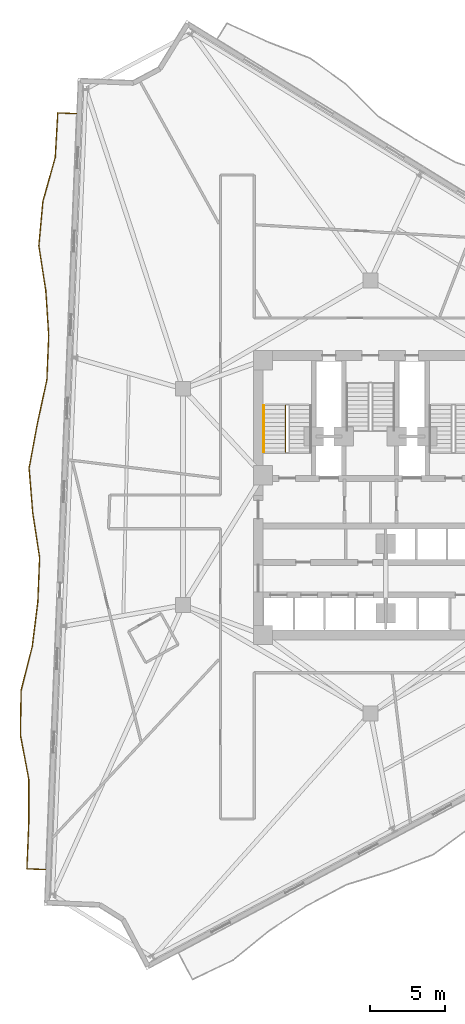
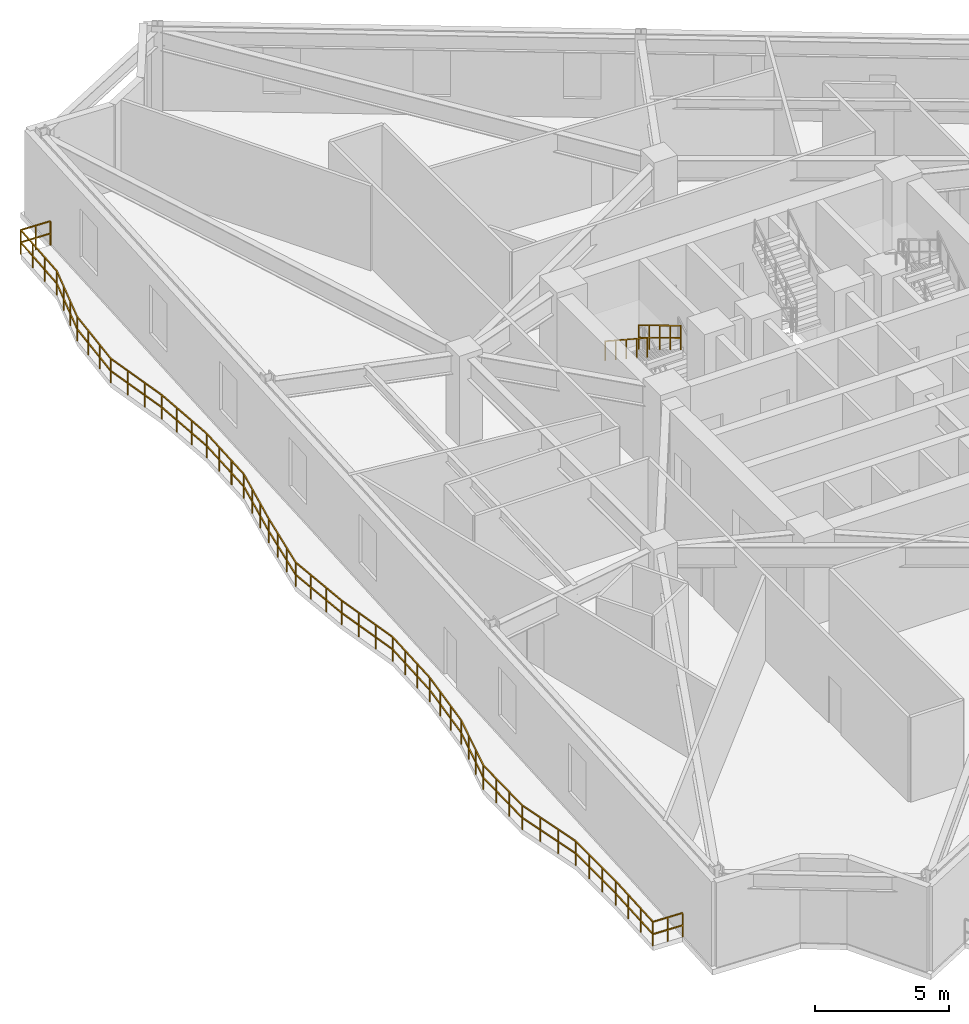
# One storey, part 10 of 12: 3 railings.
"""IFC4 building model written with IfcOpenShell, lengths in metres."""

from ifc_helpers import new_model, si_unit, direction, frame, origin, origin_2d, place, context, subcontext, project, spatial, rectangle, extrude, material, type_object, element, save


model = new_model("IFC4")

# Units and contexts
model_context = context("Model", 3, precision=1e-05, world=origin(), true_north=direction((0.0, 1.0)))
body_context = subcontext(model_context, "Body", "Model", "MODEL_VIEW")
ifc_project = project(units=[si_unit("LENGTHUNIT", "METRE"), si_unit("AREAUNIT", "SQUARE_METRE"), si_unit("VOLUMEUNIT", "CUBIC_METRE"), si_unit("PLANEANGLEUNIT", "RADIAN"), si_unit("MASSUNIT", "GRAM", prefix="KILO")], contexts=[model_context])

# Site, building, storey
site_placement = place(None, origin())
site = spatial("IfcSite", under=ifc_project, at=site_placement, CompositionType="ELEMENT")
building_placement = place(site_placement, origin())
building = spatial("IfcBuilding", under=site, at=building_placement, Name="Apsidion Concourse Tower", CompositionType="ELEMENT")
storey_placement = place(building_placement, frame((0.0, 0.0, 165.5)))
storey = spatial("IfcBuildingStorey", under=building, at=storey_placement, Name="L38", CompositionType="ELEMENT", Elevation=165.5)

# Railings
ifc_material = material(Name="Brushed stainless steel 316", Category="steel")
railing_type_1 = type_object("IfcRailingType", Name="RL-BAL-1120", PredefinedType="BALUSTRADE", material=ifc_material)
railing_1_placement = place(storey_placement, frame((-21.777587890625, -24.97802734375, 0.0)))
element("IfcRailing", 1, at=railing_1_placement, inside=storey, type_object=railing_type_1, Name="L38 Face 1 Rippling Balcony Balustrade", PredefinedType="BALUSTRADE", context=body_context, shape_type="SweptSolid", body=[
    extrude(rectangle(XDim=0.048095703125, YDim=0.048095703125, at=origin_2d()), frame((0.0, 0.0, 1.09619140625), z_axis=(-0.999166265244, 0.040826148472, 0.0), x_axis=(-0.040826148472, -0.999166265244, 0.0)), (0.0, 0.0, 1.0), 1.249755859375),
    extrude(rectangle(XDim=0.048095703125, YDim=0.048095703125, at=origin_2d()), frame((0.0, 0.0, 0.5361328125), z_axis=(-0.999166265244, 0.040826148472, 0.0), x_axis=(-0.040826148472, -0.999166265244, 0.0)), (0.0, 0.0, 1.0), 1.249755859375),
    extrude(rectangle(XDim=0.048095703125, YDim=0.048095703125, at=origin_2d()), frame((-1.248779296875, 0.051025390625, 1.09619140625), z_axis=(0.040759023988, 0.999169005706, 0.0), x_axis=(-0.999169005706, 0.040759023988, 0.0)), (0.0, 0.0, 1.0), 2.98291015625),
    extrude(rectangle(XDim=0.048095703125, YDim=0.048095703125, at=origin_2d()), frame((-1.248779296875, 0.051025390625, 0.5361328125), z_axis=(0.040759023988, 0.999169005706, 0.0), x_axis=(-0.999169005706, 0.040759023988, 0.0)), (0.0, 0.0, 1.0), 2.98291015625),
    extrude(rectangle(XDim=0.048095703125, YDim=0.048095703125, at=origin_2d()), frame((-1.127197265625, 3.031494140625, 1.09619140625), z_axis=(0.003107861003, 0.999995170588, 0.0), x_axis=(-0.999995170588, 0.003107861003, 0.0)), (0.0, 0.0, 1.0), 2.985107421875),
    extrude(rectangle(XDim=0.048095703125, YDim=0.048095703125, at=origin_2d()), frame((-1.127197265625, 3.031494140625, 0.5361328125), z_axis=(0.003107861003, 0.999995170588, 0.0), x_axis=(-0.999995170588, 0.003107861003, 0.0)), (0.0, 0.0, 1.0), 2.985107421875),
    extrude(rectangle(XDim=0.048095703125, YDim=0.048095703125, at=origin_2d()), frame((-1.117919921875, 6.0166015625, 1.09619140625), z_axis=(-0.184784476306, 0.982779068416, 0.0), x_axis=(-0.982779068416, -0.184784476306, 0.0)), (0.0, 0.0, 1.0), 3.061279296875),
    extrude(rectangle(XDim=0.048095703125, YDim=0.048095703125, at=origin_2d()), frame((-1.117919921875, 6.0166015625, 0.5361328125), z_axis=(-0.184784476306, 0.982779068416, 0.0), x_axis=(-0.982779068416, -0.184784476306, 0.0)), (0.0, 0.0, 1.0), 3.061279296875),
    extrude(rectangle(XDim=0.048095703125, YDim=0.048095703125, at=origin_2d()), frame((-1.68359375, 9.025146484375, 1.09619140625), z_axis=(0.015382795043, 0.999881677808, 0.0), x_axis=(-0.999881677808, 0.015382795043, 0.0)), (0.0, 0.0, 1.0), 2.983642578125),
    extrude(rectangle(XDim=0.048095703125, YDim=0.048095703125, at=origin_2d()), frame((-1.68359375, 9.025146484375, 0.5361328125), z_axis=(0.015382795043, 0.999881677808, 0.0), x_axis=(-0.999881677808, 0.015382795043, 0.0)), (0.0, 0.0, 1.0), 2.983642578125),
    extrude(rectangle(XDim=0.048095703125, YDim=0.048095703125, at=origin_2d()), frame((-1.6376953125, 12.008544921875, 1.09619140625), z_axis=(0.246001002234, 0.969269573906, 0.0), x_axis=(-0.969269573906, 0.246001002234, 0.0)), (0.0, 0.0, 1.0), 3.048828125),
    extrude(rectangle(XDim=0.048095703125, YDim=0.048095703125, at=origin_2d()), frame((-1.6376953125, 12.008544921875, 0.5361328125), z_axis=(0.246001002234, 0.969269573906, 0.0), x_axis=(-0.969269573906, 0.246001002234, 0.0)), (0.0, 0.0, 1.0), 3.048828125),
    extrude(rectangle(XDim=0.048095703125, YDim=0.048095703125, at=origin_2d()), frame((-0.8876953125, 14.963623046875, 1.09619140625), z_axis=(0.123412284107, 0.992355484759, 0.0), x_axis=(-0.992355484759, 0.123412284107, 0.0)), (0.0, 0.0, 1.0), 2.9931640625),
    extrude(rectangle(XDim=0.048095703125, YDim=0.048095703125, at=origin_2d()), frame((-0.8876953125, 14.963623046875, 0.5361328125), z_axis=(0.123412284107, 0.992355484759, 0.0), x_axis=(-0.992355484759, 0.123412284107, 0.0)), (0.0, 0.0, 1.0), 2.9931640625),
    extrude(rectangle(XDim=0.048095703125, YDim=0.048095703125, at=origin_2d()), frame((-0.518310546875, 17.933837890625, 1.09619140625), z_axis=(0.040759023988, 0.999169005706, 0.0), x_axis=(-0.999169005706, 0.040759023988, 0.0)), (0.0, 0.0, 1.0), 2.98291015625),
    extrude(rectangle(XDim=0.048095703125, YDim=0.048095703125, at=origin_2d()), frame((-0.518310546875, 17.933837890625, 0.5361328125), z_axis=(0.040759023988, 0.999169005706, 0.0), x_axis=(-0.999169005706, 0.040759023988, 0.0)), (0.0, 0.0, 1.0), 2.98291015625),
    extrude(rectangle(XDim=0.048095703125, YDim=0.048095703125, at=origin_2d()), frame((-0.396728515625, 20.914306640625, 1.09619140625), z_axis=(-0.152039078203, 0.988374483027, 0.0), x_axis=(-0.988374483027, -0.152039078203, 0.0)), (0.0, 0.0, 1.0), 3.039794921875),
    extrude(rectangle(XDim=0.048095703125, YDim=0.048095703125, at=origin_2d()), frame((-0.396728515625, 20.914306640625, 0.5361328125), z_axis=(-0.152039078203, 0.988374483027, 0.0), x_axis=(-0.988374483027, -0.152039078203, 0.0)), (0.0, 0.0, 1.0), 3.039794921875),
    extrude(rectangle(XDim=0.048095703125, YDim=0.048095703125, at=origin_2d()), frame((-0.85888671875, 23.918701171875, 1.09619140625), z_axis=(-0.080752609841, 0.996734175196, 0.0), x_axis=(-0.996734175196, -0.080752609841, 0.0)), (0.0, 0.0, 1.0), 3.005126953125),
    extrude(rectangle(XDim=0.048095703125, YDim=0.048095703125, at=origin_2d()), frame((-0.85888671875, 23.918701171875, 0.5361328125), z_axis=(-0.080752609841, 0.996734175196, 0.0), x_axis=(-0.996734175196, -0.080752609841, 0.0)), (0.0, 0.0, 1.0), 3.005126953125),
    extrude(rectangle(XDim=0.048095703125, YDim=0.048095703125, at=origin_2d()), frame((-1.1015625, 26.9140625, 1.09619140625), z_axis=(0.182527304548, 0.98320078473, 0.0), x_axis=(-0.98320078473, 0.182527304548, 0.0)), (0.0, 0.0, 1.0), 3.013427734375),
    extrude(rectangle(XDim=0.048095703125, YDim=0.048095703125, at=origin_2d()), frame((-1.1015625, 26.9140625, 0.5361328125), z_axis=(0.182527304548, 0.98320078473, 0.0), x_axis=(-0.98320078473, 0.182527304548, 0.0)), (0.0, 0.0, 1.0), 3.013427734375),
    extrude(rectangle(XDim=0.048095703125, YDim=0.048095703125, at=origin_2d()), frame((-0.551513671875, 29.876953125, 1.09619140625), z_axis=(0.21195098989, 0.977280296478, 0.0), x_axis=(-0.977280296478, 0.21195098989, 0.0)), (0.0, 0.0, 1.0), 3.0283203125),
    extrude(rectangle(XDim=0.048095703125, YDim=0.048095703125, at=origin_2d()), frame((-0.551513671875, 29.876953125, 0.5361328125), z_axis=(0.21195098989, 0.977280296478, 0.0), x_axis=(-0.977280296478, 0.21195098989, 0.0)), (0.0, 0.0, 1.0), 3.0283203125),
    extrude(rectangle(XDim=0.048095703125, YDim=0.048095703125, at=origin_2d()), frame((0.09033203125, 32.83642578125, 1.09619140625), z_axis=(0.040759023988, 0.999169005706, 0.0), x_axis=(-0.999169005706, 0.040759023988, 0.0)), (0.0, 0.0, 1.0), 2.98291015625),
    extrude(rectangle(XDim=0.048095703125, YDim=0.048095703125, at=origin_2d()), frame((0.09033203125, 32.83642578125, 0.5361328125), z_axis=(0.040759023988, 0.999169005706, 0.0), x_axis=(-0.999169005706, 0.040759023988, 0.0)), (0.0, 0.0, 1.0), 2.98291015625),
    extrude(rectangle(XDim=0.048095703125, YDim=0.048095703125, at=origin_2d()), frame((0.2119140625, 35.81689453125, 1.09619140625), z_axis=(-0.065109087497, 0.997878152244, 0.0), x_axis=(-0.997878152244, -0.065109087497, 0.0)), (0.0, 0.0, 1.0), 2.999755859375),
    extrude(rectangle(XDim=0.048095703125, YDim=0.048095703125, at=origin_2d()), frame((0.2119140625, 35.81689453125, 0.5361328125), z_axis=(-0.065109087497, 0.997878152244, 0.0), x_axis=(-0.997878152244, -0.065109087497, 0.0)), (0.0, 0.0, 1.0), 2.999755859375),
    extrude(rectangle(XDim=0.048095703125, YDim=0.048095703125, at=origin_2d()), frame((0.0166015625, 38.810302734375, 1.09619140625), z_axis=(-0.153215652356, 0.988192776675, 0.0), x_axis=(-0.988192776675, -0.153215652356, 0.0)), (0.0, 0.0, 1.0), 3.040283203125),
    extrude(rectangle(XDim=0.048095703125, YDim=0.048095703125, at=origin_2d()), frame((0.0166015625, 38.810302734375, 0.5361328125), z_axis=(-0.153215652356, 0.988192776675, 0.0), x_axis=(-0.988192776675, -0.153215652356, 0.0)), (0.0, 0.0, 1.0), 3.040283203125),
    extrude(rectangle(XDim=0.048095703125, YDim=0.048095703125, at=origin_2d()), frame((-0.44921875, 41.814697265625, 1.09619140625), z_axis=(0.091626402492, 0.995793453667, 0.0), x_axis=(-0.995793453667, 0.091626402492, 0.0)), (0.0, 0.0, 1.0), 2.98681640625),
    extrude(rectangle(XDim=0.048095703125, YDim=0.048095703125, at=origin_2d()), frame((-0.44921875, 41.814697265625, 0.5361328125), z_axis=(0.091626402492, 0.995793453667, 0.0), x_axis=(-0.995793453667, 0.091626402492, 0.0)), (0.0, 0.0, 1.0), 2.98681640625),
    extrude(rectangle(XDim=0.048095703125, YDim=0.048095703125, at=origin_2d()), frame((-0.175537109375, 44.7890625, 1.09619140625), z_axis=(0.26991055565, 0.962885399177, 0.0), x_axis=(-0.962885399177, 0.26991055565, 0.0)), (0.0, 0.0, 1.0), 3.0654296875),
    extrude(rectangle(XDim=0.048095703125, YDim=0.048095703125, at=origin_2d()), frame((-0.175537109375, 44.7890625, 0.5361328125), z_axis=(0.26991055565, 0.962885399177, 0.0), x_axis=(-0.962885399177, 0.26991055565, 0.0)), (0.0, 0.0, 1.0), 3.0654296875),
    extrude(rectangle(XDim=0.048095703125, YDim=0.048095703125, at=origin_2d()), frame((0.65185546875, 47.74072265625, 1.09619140625), z_axis=(0.056630286118, 0.998395217684, 0.0), x_axis=(-0.998395217684, 0.056630286118, 0.0)), (0.0, 0.0, 1.0), 2.9833984375),
    extrude(rectangle(XDim=0.048095703125, YDim=0.048095703125, at=origin_2d()), frame((0.65185546875, 47.74072265625, 0.5361328125), z_axis=(0.056630286118, 0.998395217684, 0.0), x_axis=(-0.998395217684, 0.056630286118, 0.0)), (0.0, 0.0, 1.0), 2.9833984375),
    extrude(rectangle(XDim=0.048095703125, YDim=0.048095703125, at=origin_2d()), frame((0.82080078125, 50.71923828125, 1.09619140625), z_axis=(0.999166265244, -0.040826148472, 0.0), x_axis=(0.040826148472, 0.999166265244, 0.0)), (0.0, 0.0, 1.0), 1.249755859375),
    extrude(rectangle(XDim=0.048095703125, YDim=0.048095703125, at=origin_2d()), frame((0.82080078125, 50.71923828125, 0.5361328125), z_axis=(0.999166265244, -0.040826148472, 0.0), x_axis=(0.040826148472, 0.999166265244, 0.0)), (0.0, 0.0, 1.0), 1.249755859375),
    extrude(rectangle(XDim=0.0419921875, YDim=0.0419921875, at=origin_2d()), origin(), (0.0, 0.0, 1.0), 1.072021484375),
    extrude(rectangle(XDim=0.0419921875, YDim=0.0419921875, at=origin_2d()), frame((-0.62451171875, 0.025390625, 0.0)), (0.0, 0.0, 1.0), 1.072021484375),
    extrude(rectangle(XDim=0.0419921875, YDim=0.0419921875, at=origin_2d()), frame((-1.248779296875, 0.051025390625, 0.0)), (0.0, 0.0, 1.0), 1.072021484375),
    extrude(rectangle(XDim=0.0419921875, YDim=0.0419921875, at=origin_2d()), frame((-1.208251953125, 1.04443359375, 0.0)), (0.0, 0.0, 1.0), 1.072021484375),
    extrude(rectangle(XDim=0.0419921875, YDim=0.0419921875, at=origin_2d()), frame((-1.167724609375, 2.0380859375, 0.0)), (0.0, 0.0, 1.0), 1.072021484375),
    extrude(rectangle(XDim=0.0419921875, YDim=0.0419921875, at=origin_2d()), frame((-1.127197265625, 3.031494140625, 0.0)), (0.0, 0.0, 1.0), 1.072021484375),
    extrude(rectangle(XDim=0.0419921875, YDim=0.0419921875, at=origin_2d()), frame((-1.1240234375, 4.026611328125, 0.0)), (0.0, 0.0, 1.0), 1.072021484375),
    extrude(rectangle(XDim=0.0419921875, YDim=0.0419921875, at=origin_2d()), frame((-1.12109375, 5.021484375, 0.0)), (0.0, 0.0, 1.0), 1.072021484375),
    extrude(rectangle(XDim=0.0419921875, YDim=0.0419921875, at=origin_2d()), frame((-1.117919921875, 6.0166015625, 0.0)), (0.0, 0.0, 1.0), 1.072021484375),
    extrude(rectangle(XDim=0.0419921875, YDim=0.0419921875, at=origin_2d()), frame((-1.306396484375, 7.01953125, 0.0)), (0.0, 0.0, 1.0), 1.072021484375),
    extrude(rectangle(XDim=0.0419921875, YDim=0.0419921875, at=origin_2d()), frame((-1.4951171875, 8.022216796875, 0.0)), (0.0, 0.0, 1.0), 1.072021484375),
    extrude(rectangle(XDim=0.0419921875, YDim=0.0419921875, at=origin_2d()), frame((-1.68359375, 9.025146484375, 0.0)), (0.0, 0.0, 1.0), 1.072021484375),
    extrude(rectangle(XDim=0.0419921875, YDim=0.0419921875, at=origin_2d()), frame((-1.668212890625, 10.01953125, 0.0)), (0.0, 0.0, 1.0), 1.072021484375),
    extrude(rectangle(XDim=0.0419921875, YDim=0.0419921875, at=origin_2d()), frame((-1.653076171875, 11.01416015625, 0.0)), (0.0, 0.0, 1.0), 1.072021484375),
    extrude(rectangle(XDim=0.0419921875, YDim=0.0419921875, at=origin_2d()), frame((-1.6376953125, 12.008544921875, 0.0)), (0.0, 0.0, 1.0), 1.072021484375),
    extrude(rectangle(XDim=0.0419921875, YDim=0.0419921875, at=origin_2d()), frame((-1.3876953125, 12.99365234375, 0.0)), (0.0, 0.0, 1.0), 1.072021484375),
    extrude(rectangle(XDim=0.0419921875, YDim=0.0419921875, at=origin_2d()), frame((-1.1376953125, 13.978515625, 0.0)), (0.0, 0.0, 1.0), 1.072021484375),
    extrude(rectangle(XDim=0.0419921875, YDim=0.0419921875, at=origin_2d()), frame((-0.8876953125, 14.963623046875, 0.0)), (0.0, 0.0, 1.0), 1.072021484375),
    extrude(rectangle(XDim=0.0419921875, YDim=0.0419921875, at=origin_2d()), frame((-0.7646484375, 15.95361328125, 0.0)), (0.0, 0.0, 1.0), 1.072021484375),
    extrude(rectangle(XDim=0.0419921875, YDim=0.0419921875, at=origin_2d()), frame((-0.641357421875, 16.94384765625, 0.0)), (0.0, 0.0, 1.0), 1.072021484375),
    extrude(rectangle(XDim=0.0419921875, YDim=0.0419921875, at=origin_2d()), frame((-0.518310546875, 17.933837890625, 0.0)), (0.0, 0.0, 1.0), 1.072021484375),
    extrude(rectangle(XDim=0.0419921875, YDim=0.0419921875, at=origin_2d()), frame((-0.477783203125, 18.92724609375, 0.0)), (0.0, 0.0, 1.0), 1.072021484375),
    extrude(rectangle(XDim=0.0419921875, YDim=0.0419921875, at=origin_2d()), frame((-0.437255859375, 19.9208984375, 0.0)), (0.0, 0.0, 1.0), 1.072021484375),
    extrude(rectangle(XDim=0.0419921875, YDim=0.0419921875, at=origin_2d()), frame((-0.396728515625, 20.914306640625, 0.0)), (0.0, 0.0, 1.0), 1.072021484375),
    extrude(rectangle(XDim=0.0419921875, YDim=0.0419921875, at=origin_2d()), frame((-0.55078125, 21.915771484375, 0.0)), (0.0, 0.0, 1.0), 1.072021484375),
    extrude(rectangle(XDim=0.0419921875, YDim=0.0419921875, at=origin_2d()), frame((-0.704833984375, 22.917236328125, 0.0)), (0.0, 0.0, 1.0), 1.072021484375),
    extrude(rectangle(XDim=0.0419921875, YDim=0.0419921875, at=origin_2d()), frame((-0.85888671875, 23.918701171875, 0.0)), (0.0, 0.0, 1.0), 1.072021484375),
    extrude(rectangle(XDim=0.0419921875, YDim=0.0419921875, at=origin_2d()), frame((-0.939697265625, 24.917236328125, 0.0)), (0.0, 0.0, 1.0), 1.072021484375),
    extrude(rectangle(XDim=0.0419921875, YDim=0.0419921875, at=origin_2d()), frame((-1.020751953125, 25.91552734375, 0.0)), (0.0, 0.0, 1.0), 1.072021484375),
    extrude(rectangle(XDim=0.0419921875, YDim=0.0419921875, at=origin_2d()), frame((-1.1015625, 26.9140625, 0.0)), (0.0, 0.0, 1.0), 1.072021484375),
    extrude(rectangle(XDim=0.0419921875, YDim=0.0419921875, at=origin_2d()), frame((-0.918212890625, 27.901611328125, 0.0)), (0.0, 0.0, 1.0), 1.072021484375),
    extrude(rectangle(XDim=0.0419921875, YDim=0.0419921875, at=origin_2d()), frame((-0.73486328125, 28.889404296875, 0.0)), (0.0, 0.0, 1.0), 1.072021484375),
    extrude(rectangle(XDim=0.0419921875, YDim=0.0419921875, at=origin_2d()), frame((-0.551513671875, 29.876953125, 0.0)), (0.0, 0.0, 1.0), 1.072021484375),
    extrude(rectangle(XDim=0.0419921875, YDim=0.0419921875, at=origin_2d()), frame((-0.337646484375, 30.863525390625, 0.0)), (0.0, 0.0, 1.0), 1.072021484375),
    extrude(rectangle(XDim=0.0419921875, YDim=0.0419921875, at=origin_2d()), frame((-0.12353515625, 31.849853515625, 0.0)), (0.0, 0.0, 1.0), 1.072021484375),
    extrude(rectangle(XDim=0.0419921875, YDim=0.0419921875, at=origin_2d()), frame((0.09033203125, 32.83642578125, 0.0)), (0.0, 0.0, 1.0), 1.072021484375),
    extrude(rectangle(XDim=0.0419921875, YDim=0.0419921875, at=origin_2d()), frame((0.130859375, 33.829833984375, 0.0)), (0.0, 0.0, 1.0), 1.072021484375),
    extrude(rectangle(XDim=0.0419921875, YDim=0.0419921875, at=origin_2d()), frame((0.17138671875, 34.823486328125, 0.0)), (0.0, 0.0, 1.0), 1.072021484375),
    extrude(rectangle(XDim=0.0419921875, YDim=0.0419921875, at=origin_2d()), frame((0.2119140625, 35.81689453125, 0.0)), (0.0, 0.0, 1.0), 1.072021484375),
    extrude(rectangle(XDim=0.0419921875, YDim=0.0419921875, at=origin_2d()), frame((0.146728515625, 36.814697265625, 0.0)), (0.0, 0.0, 1.0), 1.072021484375),
    extrude(rectangle(XDim=0.0419921875, YDim=0.0419921875, at=origin_2d()), frame((0.081787109375, 37.8125, 0.0)), (0.0, 0.0, 1.0), 1.072021484375),
    extrude(rectangle(XDim=0.0419921875, YDim=0.0419921875, at=origin_2d()), frame((0.0166015625, 38.810302734375, 0.0)), (0.0, 0.0, 1.0), 1.072021484375),
    extrude(rectangle(XDim=0.0419921875, YDim=0.0419921875, at=origin_2d()), frame((-0.138671875, 39.811767578125, 0.0)), (0.0, 0.0, 1.0), 1.072021484375),
    extrude(rectangle(XDim=0.0419921875, YDim=0.0419921875, at=origin_2d()), frame((-0.2939453125, 40.813232421875, 0.0)), (0.0, 0.0, 1.0), 1.072021484375),
    extrude(rectangle(XDim=0.0419921875, YDim=0.0419921875, at=origin_2d()), frame((-0.44921875, 41.814697265625, 0.0)), (0.0, 0.0, 1.0), 1.072021484375),
    extrude(rectangle(XDim=0.0419921875, YDim=0.0419921875, at=origin_2d()), frame((-0.35791015625, 42.80615234375, 0.0)), (0.0, 0.0, 1.0), 1.072021484375),
    extrude(rectangle(XDim=0.0419921875, YDim=0.0419921875, at=origin_2d()), frame((-0.266845703125, 43.797607421875, 0.0)), (0.0, 0.0, 1.0), 1.072021484375),
    extrude(rectangle(XDim=0.0419921875, YDim=0.0419921875, at=origin_2d()), frame((-0.175537109375, 44.7890625, 0.0)), (0.0, 0.0, 1.0), 1.072021484375),
    extrude(rectangle(XDim=0.0419921875, YDim=0.0419921875, at=origin_2d()), frame((0.100341796875, 45.77294921875, 0.0)), (0.0, 0.0, 1.0), 1.072021484375),
    extrude(rectangle(XDim=0.0419921875, YDim=0.0419921875, at=origin_2d()), frame((0.3759765625, 46.7568359375, 0.0)), (0.0, 0.0, 1.0), 1.072021484375),
    extrude(rectangle(XDim=0.0419921875, YDim=0.0419921875, at=origin_2d()), frame((0.65185546875, 47.74072265625, 0.0)), (0.0, 0.0, 1.0), 1.072021484375),
    extrude(rectangle(XDim=0.0419921875, YDim=0.0419921875, at=origin_2d()), frame((0.708251953125, 48.733642578125, 0.0)), (0.0, 0.0, 1.0), 1.072021484375),
    extrude(rectangle(XDim=0.0419921875, YDim=0.0419921875, at=origin_2d()), frame((0.764404296875, 49.726318359375, 0.0)), (0.0, 0.0, 1.0), 1.072021484375),
    extrude(rectangle(XDim=0.0419921875, YDim=0.0419921875, at=origin_2d()), frame((0.82080078125, 50.71923828125, 0.0)), (0.0, 0.0, 1.0), 1.072021484375),
    extrude(rectangle(XDim=0.0419921875, YDim=0.0419921875, at=origin_2d()), frame((1.4453125, 50.69384765625, 0.0)), (0.0, 0.0, 1.0), 1.072021484375),
    extrude(rectangle(XDim=0.0419921875, YDim=0.0419921875, at=origin_2d()), frame((2.069580078125, 50.668212890625, 0.0)), (0.0, 0.0, 1.0), 1.072021484375),
])
railing_type_2 = type_object("IfcRailingType", Name="RL-GUARD-1100", PredefinedType="GUARDRAIL", material=ifc_material)
railing_2_placement = place(storey_placement, frame((-5.699951171875, 6.135009765625, 2.220947265625)))
element("IfcRailing", 2, at=railing_2_placement, inside=storey, type_object=railing_type_2, Name="L38 ST1 stair guard 3", PredefinedType="GUARDRAIL", context=body_context, shape_type="SweptSolid", body=[
    extrude(rectangle(XDim=0.048095703125, YDim=0.048095703125, at=origin_2d()), frame((0.0, 0.0, 1.09619140625), z_axis=(0.0, -0.857716804754, 0.514122439544), x_axis=(1.0, 0.0, 0.0)), (0.0, 0.0, 1.0), 3.655029296875),
    extrude(rectangle(XDim=0.048095703125, YDim=0.048095703125, at=origin_2d()), frame((0.0, 0.0, 0.5361328125), z_axis=(0.0, -0.857716804754, 0.514122439544), x_axis=(1.0, 0.0, 0.0)), (0.0, 0.0, 1.0), 3.655029296875),
    extrude(rectangle(XDim=0.0419921875, YDim=0.0419921875, at=origin_2d()), origin(), (0.0, 0.0, 1.0), 1.072021484375),
    extrude(rectangle(XDim=0.0419921875, YDim=0.0419921875, at=origin_2d()), frame((0.0, -0.78369140625, 0.4697265625)), (0.0, 0.0, 1.0), 1.072021484375),
    extrude(rectangle(XDim=0.0419921875, YDim=0.0419921875, at=origin_2d()), frame((0.0, -1.5673828125, 0.939453125)), (0.0, 0.0, 1.0), 1.072021484375),
    extrude(rectangle(XDim=0.0419921875, YDim=0.0419921875, at=origin_2d()), frame((0.0, -2.351318359375, 1.409423828125)), (0.0, 0.0, 1.0), 1.072021484375),
    extrude(rectangle(XDim=0.0419921875, YDim=0.0419921875, at=origin_2d()), frame((0.0, -3.135009765625, 1.879150390625)), (0.0, 0.0, 1.0), 1.072021484375),
])
railing_type_3 = type_object("IfcRailingType", Name="RL-HAND-900", PredefinedType="HANDRAIL", material=ifc_material)
railing_3_placement = place(storey_placement, frame((-7.14990234375, 6.135009765625, 2.220947265625)))
element("IfcRailing", 3, at=railing_3_placement, inside=storey, type_object=railing_type_3, Name="L38 ST1 stair handrail 2", PredefinedType="HANDRAIL", context=body_context, shape_type="SweptSolid", body=[
    extrude(rectangle(XDim=0.048095703125, YDim=0.048095703125, at=origin_2d()), frame((0.0, 0.0, 0.8759765625), z_axis=(0.0, -0.836970762213, 0.547247606848), x_axis=(1.0, 0.0, 0.0)), (0.0, 0.0, 1.0), 3.74560546875),
    extrude(rectangle(XDim=0.0419921875, YDim=0.0419921875, at=origin_2d()), origin(), (0.0, 0.0, 1.0), 0.851806640625),
    extrude(rectangle(XDim=0.0419921875, YDim=0.0419921875, at=origin_2d()), frame((0.0, -0.78369140625, 0.512451171875)), (0.0, 0.0, 1.0), 0.851806640625),
    extrude(rectangle(XDim=0.0419921875, YDim=0.0419921875, at=origin_2d()), frame((0.0, -1.5673828125, 1.02490234375)), (0.0, 0.0, 1.0), 0.851806640625),
    extrude(rectangle(XDim=0.0419921875, YDim=0.0419921875, at=origin_2d()), frame((0.0, -2.351318359375, 1.537353515625)), (0.0, 0.0, 1.0), 0.851806640625),
    extrude(rectangle(XDim=0.0419921875, YDim=0.0419921875, at=origin_2d()), frame((0.0, -3.135009765625, 2.0498046875)), (0.0, 0.0, 1.0), 0.851806640625),
])

save(model, "model.ifc")
